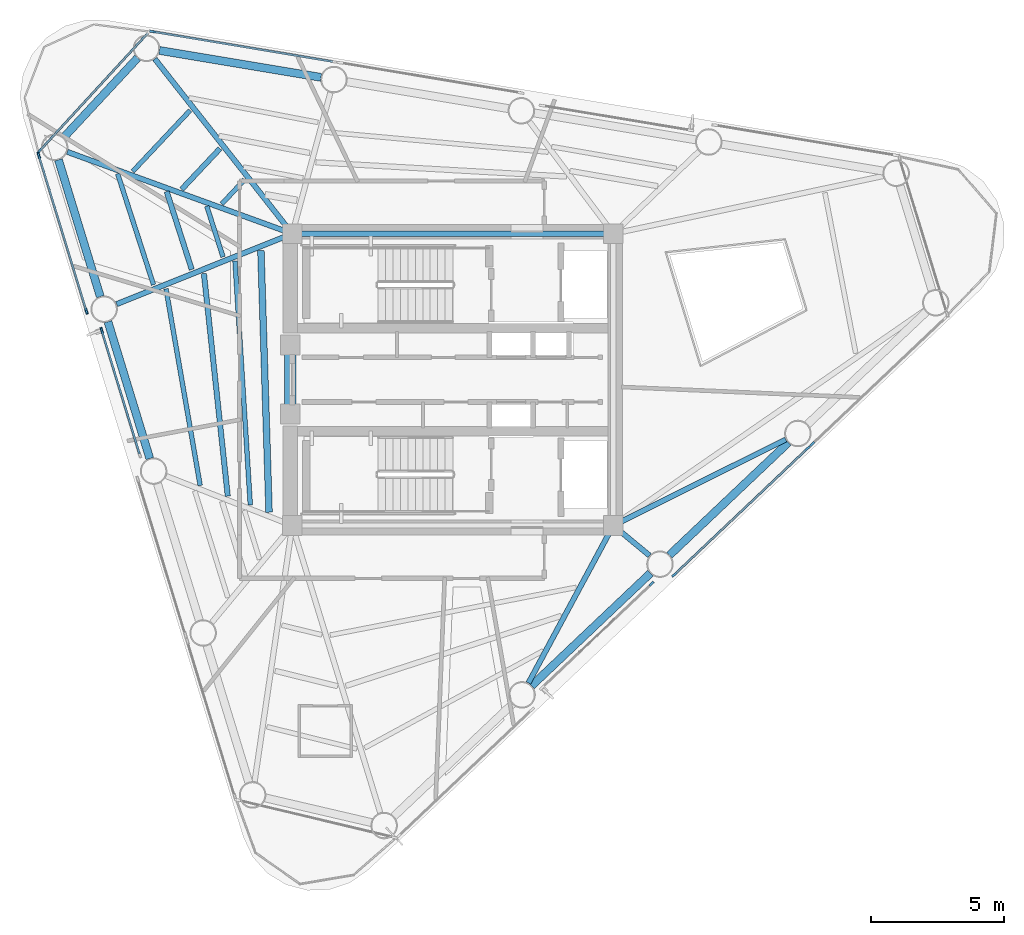
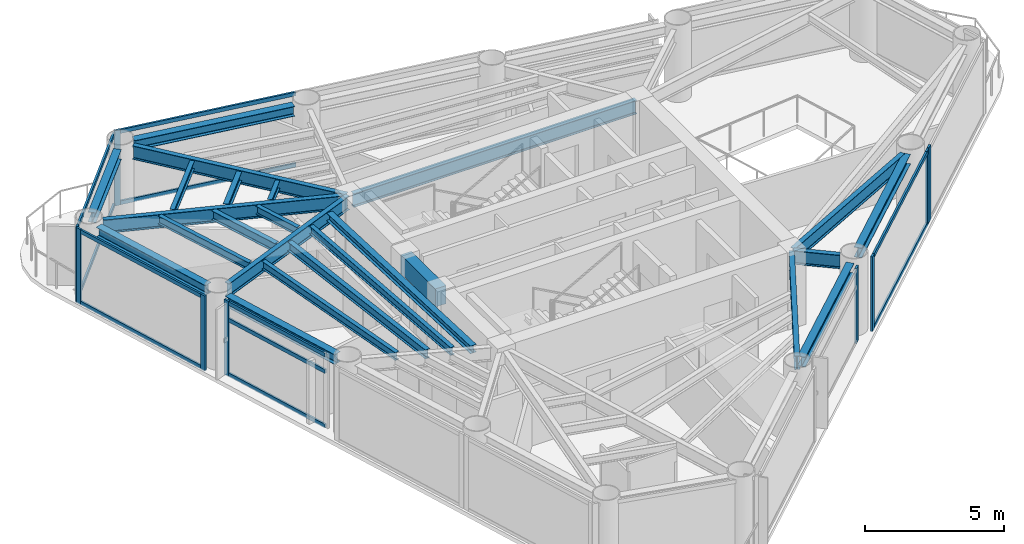
# One storey, part 2 of 9: 24 beams, 20 members, 7 elements without a shape of their own.
"""IFC4 building model written with IfcOpenShell, lengths in metres."""

from ifc_helpers import new_model, si_unit, direction, frame, origin, origin_2d, place, context, subcontext, project, spatial, rectangle, i_section, extrude, source, transform, mapped, material, layer, layer_set, material_profile, profile_set, type_object, element, aggregate, save


model = new_model("IFC4")

# Units and contexts
model_context = context("Model", 3, precision=1e-05, world=origin(), true_north=direction((0.0, 1.0)))
body_context = subcontext(model_context, "Body", "Model", "MODEL_VIEW")
ifc_project = project(units=[si_unit("LENGTHUNIT", "METRE"), si_unit("AREAUNIT", "SQUARE_METRE"), si_unit("VOLUMEUNIT", "CUBIC_METRE"), si_unit("PLANEANGLEUNIT", "RADIAN"), si_unit("MASSUNIT", "GRAM", prefix="KILO")], contexts=[model_context])

# Site, building, storey
site_placement = place(None, origin())
site = spatial("IfcSite", under=ifc_project, at=site_placement, CompositionType="ELEMENT")
building_placement = place(site_placement, origin())
building = spatial("IfcBuilding", under=site, at=building_placement, Name="Yunling Apex Tower", CompositionType="ELEMENT")
storey_placement = place(building_placement, frame((0.0, 0.0, 245.64990234375)))
storey = spatial("IfcBuildingStorey", under=building, at=storey_placement, Name="L60", CompositionType="ELEMENT", Elevation=245.64990234375)

# Beams
ifc_material_1 = material(Name="Concrete C40", Category="concrete")
ifc_material_profile_1 = material_profile(ifc_material_1, rectangle(XDim=0.449951171875, YDim=0.800048828125, at=origin_2d()))
ifc_profile_set_1 = profile_set([ifc_material_profile_1], Name="Concrete C40")
beam_type_1 = type_object("IfcBeamType", Name="BC-CPL-3", PredefinedType="BEAM", material=ifc_profile_set_1)
shared_shape_1 = source(origin(), body_context, "Body", "SweptSolid", [
    extrude(rectangle(XDim=0.449951171875, YDim=0.800048828125, at=origin_2d()), origin(), (0.0, 0.0, 1.0), 2.5),
])
beam_1_placement = place(storey_placement, frame((-6.125, -1.25, 2.820068359375), z_axis=(0.0, 1.0, 0.0), x_axis=(-1.0, 0.0, 0.0)))
element("IfcBeam", 1, at=beam_1_placement, inside=storey, type_object=beam_type_1, Name="L60 Core West Portal Coupling Beam", PredefinedType="BEAM", context=body_context, shape_type="MappedRepresentation", body=[
    mapped(shared_shape_1, transform((0.0, 0.0, 0.0), scale=1.0)),
])
ifc_material_2 = material(Name="Steel Q355B", Category="steel")
ifc_material_profile_2 = material_profile(ifc_material_2, i_section(OverallWidth=0.199951171875, OverallDepth=0.60009765625, WebThickness=0.010986328125, FlangeThickness=0.01708984375, FilletRadius=0.02197265625, at=origin_2d()))
ifc_profile_set_2 = profile_set([ifc_material_profile_2], Name="Steel Q355B")
beam_type_2 = type_object("IfcBeamType", Name="BG-PRI-5", PredefinedType="USERDEFINED", material=ifc_profile_set_2)
shared_shape_2 = source(origin(), body_context, "Body", "SweptSolid", [
    extrude(i_section(OverallWidth=0.199951171875, OverallDepth=0.60009765625, WebThickness=0.010986328125, FlangeThickness=0.01708984375, FilletRadius=0.02197265625, at=origin_2d()), origin(), (0.0, 0.0, 1.0), 11.7998046875),
])
beam_2_placement = place(storey_placement, frame((5.89990234375, 5.5, 2.920166015625), z_axis=(-1.0, 0.0, 0.0), x_axis=(0.0, -1.0, 0.0)))
element("IfcBeam", 2, at=beam_2_placement, inside=storey, type_object=beam_type_2, Name="L60 Core Ring Tie Beam 3", ObjectType="GIRDER", PredefinedType="USERDEFINED", context=body_context, shape_type="MappedRepresentation", body=[
    mapped(shared_shape_2, transform((0.0, 0.0, 0.0), scale=1.0)),
])
ifc_material_profile_3 = material_profile(ifc_material_2, i_section(OverallWidth=0.300048828125, OverallDepth=0.43994140625, WebThickness=0.010986328125, FlangeThickness=0.01806640625, FilletRadius=0.02197265625, at=origin_2d()))
ifc_profile_set_3 = profile_set([ifc_material_profile_3], Name="Steel Q355B")
beam_type_3 = type_object("IfcBeamType", Name="BP-SPN-3", PredefinedType="SPANDREL", material=ifc_profile_set_3)
shared_shape_3 = source(origin(), body_context, "Body", "SweptSolid", [
    extrude(i_section(OverallWidth=0.300048828125, OverallDepth=0.43994140625, WebThickness=0.010986328125, FlangeThickness=0.01806640625, FilletRadius=0.02197265625, at=origin_2d()), origin(), (0.0, 0.0, 1.0), 6.17333984375),
])
for number, where, z_axis, x_axis, name in (
    (3, (8.16748046875, -6.6162109375, 3.0), (0.725853952128, 0.687848849807, 0.0), (-0.687848849807, 0.725853952128, 0.0), "L60 Perimeter Spandrel Beam 3"),
    (4, (-4.967041015625, 11.391845703125, 3.0), (-0.986400336233, 0.164360508275, 0.0), (-0.164360508275, -0.986400336233, 0.0), "L60 Perimeter Spandrel Beam 9"),
):
    element("IfcBeam", number, at=place(storey_placement, frame(where, z_axis=z_axis, x_axis=x_axis)), inside=storey, type_object=beam_type_3, Name=name, PredefinedType="SPANDREL", context=body_context, shape_type="MappedRepresentation", body=[
        mapped(shared_shape_3, transform((0.0, 0.0, 0.0), scale=1.0)),
    ])
shared_shape_4 = source(origin(), body_context, "Body", "SweptSolid", [
    extrude(i_section(OverallWidth=0.300048828125, OverallDepth=0.43994140625, WebThickness=0.010986328125, FlangeThickness=0.01806640625, FilletRadius=0.02197265625, at=origin_2d()), origin(), (0.0, 0.0, 1.0), 6.173095703125),
])
beam_3_placement = place(storey_placement, frame((2.969482421875, -11.5419921875, 3.0), z_axis=(0.725873697531, 0.687828012829, 0.0), x_axis=(-0.687828012829, 0.725873697531, 0.0)))
element("IfcBeam", 5, at=beam_3_placement, inside=storey, type_object=beam_type_3, Name="L60 Perimeter Spandrel Beam 2", PredefinedType="SPANDREL", context=body_context, shape_type="MappedRepresentation", body=[
    mapped(shared_shape_4, transform((0.0, 0.0, 0.0), scale=1.0)),
])
shared_shape_5 = source(origin(), body_context, "Body", "SweptSolid", [
    extrude(i_section(OverallWidth=0.300048828125, OverallDepth=0.43994140625, WebThickness=0.010986328125, FlangeThickness=0.01806640625, FilletRadius=0.02197265625, at=origin_2d()), origin(), (0.0, 0.0, 1.0), 4.1015625),
])
beam_4_placement = place(storey_placement, frame((-11.8798828125, 12.125732421875, 3.0), z_axis=(-0.680585789197, -0.732668399443, 0.0), x_axis=(0.732668399443, -0.680585789197, 0.0)))
element("IfcBeam", 6, at=beam_4_placement, inside=storey, type_object=beam_type_3, Name="L60 Perimeter Spandrel Beam 10", PredefinedType="SPANDREL", context=body_context, shape_type="MappedRepresentation", body=[
    mapped(shared_shape_5, transform((0.0, 0.0, 0.0), scale=1.0)),
])
shared_shape_6 = source(origin(), body_context, "Body", "SweptSolid", [
    extrude(i_section(OverallWidth=0.300048828125, OverallDepth=0.43994140625, WebThickness=0.010986328125, FlangeThickness=0.01806640625, FilletRadius=0.02197265625, at=origin_2d()), origin(), (0.0, 0.0, 1.0), 5.39404296875),
])
for number, where, z_axis, x_axis, name in (
    (7, (-14.863037109375, 8.286376953125, 3.0), (0.292393318538, -0.956298147689, 0.0), (0.956298147689, 0.292393318538, 0.0), "L60 Perimeter Spandrel Beam 11"),
    (8, (-12.997314453125, 2.183349609375, 3.0), (0.292380663083, -0.956302017072, 0.0), (0.956302017072, 0.292380663083, 0.0), "L60 Perimeter Spandrel Beam 12"),
):
    element("IfcBeam", number, at=place(storey_placement, frame(where, z_axis=z_axis, x_axis=x_axis)), inside=storey, type_object=beam_type_3, Name=name, PredefinedType="SPANDREL", context=body_context, shape_type="MappedRepresentation", body=[
        mapped(shared_shape_6, transform((0.0, 0.0, 0.0), scale=1.0)),
    ])
shared_shape_7 = source(origin(), body_context, "Body", "SweptSolid", [
    extrude(i_section(OverallWidth=0.199951171875, OverallDepth=0.60009765625, WebThickness=0.010986328125, FlangeThickness=0.01708984375, FilletRadius=0.02197265625, at=origin_2d()), origin(), (0.0, 0.0, 1.0), 6.661865234375),
])
beam_5_placement = place(storey_placement, frame((2.851806640625, -11.434814453125, 2.920166015625), z_axis=(0.474372979845, 0.88032396082, 0.0), x_axis=(-0.88032396082, 0.474372979845, 0.0)))
element("IfcBeam", 9, at=beam_5_placement, inside=storey, type_object=beam_type_2, Name="L60 Radial Primary Girder R02", ObjectType="GIRDER", PredefinedType="USERDEFINED", context=body_context, shape_type="MappedRepresentation", body=[
    mapped(shared_shape_7, transform((0.0, 0.0, 0.0), scale=1.0)),
])
shared_shape_8 = source(origin(), body_context, "Body", "SweptSolid", [
    extrude(i_section(OverallWidth=0.199951171875, OverallDepth=0.60009765625, WebThickness=0.010986328125, FlangeThickness=0.01708984375, FilletRadius=0.02197265625, at=origin_2d()), origin(), (0.0, 0.0, 1.0), 1.695556640625),
])
beam_6_placement = place(storey_placement, frame((7.417724609375, -6.632080078125, 2.920166015625), z_axis=(-0.770365054174, 0.637603076614, 0.0), x_axis=(-0.637603076614, -0.770365054174, 0.0)))
element("IfcBeam", 10, at=beam_6_placement, inside=storey, type_object=beam_type_2, Name="L60 Radial Primary Girder R03", ObjectType="GIRDER", PredefinedType="USERDEFINED", context=body_context, shape_type="MappedRepresentation", body=[
    mapped(shared_shape_8, transform((0.0, 0.0, 0.0), scale=1.0)),
])
shared_shape_9 = source(origin(), body_context, "Body", "SweptSolid", [
    extrude(i_section(OverallWidth=0.199951171875, OverallDepth=0.60009765625, WebThickness=0.010986328125, FlangeThickness=0.01708984375, FilletRadius=0.02197265625, at=origin_2d()), origin(), (0.0, 0.0, 1.0), 7.1865234375),
])
beam_7_placement = place(storey_placement, frame((12.552490234375, -2.256591796875, 2.920166015625), z_axis=(-0.894854827722, -0.446357297803, 0.0), x_axis=(0.446357297803, -0.894854827722, 0.0)))
element("IfcBeam", 11, at=beam_7_placement, inside=storey, type_object=beam_type_2, Name="L60 Radial Primary Girder R04", ObjectType="GIRDER", PredefinedType="USERDEFINED", context=body_context, shape_type="MappedRepresentation", body=[
    mapped(shared_shape_9, transform((0.0, 0.0, 0.0), scale=1.0)),
])
shared_shape_10 = source(origin(), body_context, "Body", "SweptSolid", [
    extrude(i_section(OverallWidth=0.199951171875, OverallDepth=0.60009765625, WebThickness=0.010986328125, FlangeThickness=0.01708984375, FilletRadius=0.02197265625, at=origin_2d()), origin(), (0.0, 0.0, 1.0), 8.300537109375),
])
beam_8_placement = place(storey_placement, frame((-11.229736328125, 12.088134765625, 2.920166015625), z_axis=(0.618080016926, -0.786115190463, 0.0), x_axis=(0.786115190463, 0.618080016926, 0.0)))
element("IfcBeam", 12, at=beam_8_placement, inside=storey, type_object=beam_type_2, Name="L60 Radial Primary Girder R10", ObjectType="GIRDER", PredefinedType="USERDEFINED", context=body_context, shape_type="MappedRepresentation", body=[
    mapped(shared_shape_10, transform((0.0, 0.0, 0.0), scale=1.0)),
])
shared_shape_11 = source(origin(), body_context, "Body", "SweptSolid", [
    extrude(i_section(OverallWidth=0.199951171875, OverallDepth=0.60009765625, WebThickness=0.010986328125, FlangeThickness=0.01708984375, FilletRadius=0.02197265625, at=origin_2d()), origin(), (0.0, 0.0, 1.0), 8.943603515625),
])
beam_9_placement = place(storey_placement, frame((-14.530029296875, 8.5849609375, 2.920166015625), z_axis=(0.939745593755, -0.341874566205, 0.0), x_axis=(0.341874566205, 0.939745593755, 0.0)))
element("IfcBeam", 13, at=beam_9_placement, inside=storey, type_object=beam_type_2, Name="L60 Radial Primary Girder R11", ObjectType="GIRDER", PredefinedType="USERDEFINED", context=body_context, shape_type="MappedRepresentation", body=[
    mapped(shared_shape_11, transform((0.0, 0.0, 0.0), scale=1.0)),
])
shared_shape_12 = source(origin(), body_context, "Body", "SweptSolid", [
    extrude(i_section(OverallWidth=0.199951171875, OverallDepth=0.60009765625, WebThickness=0.010986328125, FlangeThickness=0.01708984375, FilletRadius=0.02197265625, at=origin_2d()), origin(), (0.0, 0.0, 1.0), 7.052734375),
])
beam_10_placement = place(storey_placement, frame((-12.670166015625, 2.8447265625, 2.920166015625), z_axis=(0.928127733356, 0.372261884399, 0.0), x_axis=(-0.372261884399, 0.928127733356, 0.0)))
element("IfcBeam", 14, at=beam_10_placement, inside=storey, type_object=beam_type_2, Name="L60 Radial Primary Girder R12", ObjectType="GIRDER", PredefinedType="USERDEFINED", context=body_context, shape_type="MappedRepresentation", body=[
    mapped(shared_shape_12, transform((0.0, 0.0, 0.0), scale=1.0)),
])
ifc_material_profile_4 = material_profile(ifc_material_2, i_section(OverallWidth=0.199951171875, OverallDepth=0.39990234375, WebThickness=0.008056640625, FlangeThickness=0.012939453125, FilletRadius=0.01611328125, at=origin_2d()))
ifc_profile_set_4 = profile_set([ifc_material_profile_4], Name="Steel Q355B")
beam_type_4 = type_object("IfcBeamType", Name="BS-SEC-4", PredefinedType="BEAM", material=ifc_profile_set_4)
shared_shape_13 = source(origin(), body_context, "Body", "SweptSolid", [
    extrude(i_section(OverallWidth=0.199951171875, OverallDepth=0.39990234375, WebThickness=0.008056640625, FlangeThickness=0.012939453125, FilletRadius=0.01611328125, at=origin_2d()), origin(), (0.0, 0.0, 1.0), 2.108154296875),
])
beam_11_placement = place(storey_placement, frame((-8.774169921875, 8.708984375, 3.02001953125), z_axis=(-0.684880497063, -0.728655408779, 0.0), x_axis=(0.728655408779, -0.684880497063, 0.0)))
element("IfcBeam", 15, at=beam_11_placement, inside=storey, type_object=beam_type_4, Name="L60 Composite Floor Beam BS-10", PredefinedType="BEAM", context=body_context, shape_type="MappedRepresentation", body=[
    mapped(shared_shape_13, transform((0.0, 0.0, 0.0), scale=1.0)),
])
ifc_material_profile_5 = material_profile(ifc_material_2, i_section(OverallWidth=0.175048828125, OverallDepth=0.35009765625, WebThickness=0.007080078125, FlangeThickness=0.010986328125, FilletRadius=0.013916015625, at=origin_2d()))
ifc_profile_set_5 = profile_set([ifc_material_profile_5], Name="Steel Q355B")
beam_type_5 = type_object("IfcBeamType", Name="BJ-JST-1", PredefinedType="JOIST", material=ifc_profile_set_5)
shared_shape_14 = source(origin(), body_context, "Body", "SweptSolid", [
    extrude(i_section(OverallWidth=0.175048828125, OverallDepth=0.35009765625, WebThickness=0.007080078125, FlangeThickness=0.010986328125, FilletRadius=0.013916015625, at=origin_2d()), origin(), (0.0, 0.0, 1.0), 3.157470703125),
])
beam_12_placement = place(storey_placement, frame((-9.903076171875, 10.14453125, 3.045166015625), z_axis=(-0.685403289292, -0.728163670494, 0.0), x_axis=(0.728163670494, -0.685403289292, 0.0)))
element("IfcBeam", 16, at=beam_12_placement, inside=storey, type_object=beam_type_5, Name="L60 Composite Floor Joist BJ1-10", PredefinedType="JOIST", context=body_context, shape_type="MappedRepresentation", body=[
    mapped(shared_shape_14, transform((0.0, 0.0, 0.0), scale=1.0)),
])
shared_shape_15 = source(origin(), body_context, "Body", "SweptSolid", [
    extrude(i_section(OverallWidth=0.175048828125, OverallDepth=0.35009765625, WebThickness=0.007080078125, FlangeThickness=0.010986328125, FilletRadius=0.013916015625, at=origin_2d()), origin(), (0.0, 0.0, 1.0), 1.249755859375),
])
beam_13_placement = place(storey_placement, frame((-7.8505859375, 7.5341796875, 3.045166015625), z_axis=(-0.683980120085, -0.729500647929, 0.0), x_axis=(0.729500647929, -0.683980120085, 0.0)))
element("IfcBeam", 17, at=beam_13_placement, inside=storey, type_object=beam_type_5, Name="L60 Composite Floor Joist BJ3-10", PredefinedType="JOIST", context=body_context, shape_type="MappedRepresentation", body=[
    mapped(shared_shape_15, transform((0.0, 0.0, 0.0), scale=1.0)),
])
shared_shape_16 = source(origin(), body_context, "Body", "SweptSolid", [
    extrude(i_section(OverallWidth=0.199951171875, OverallDepth=0.39990234375, WebThickness=0.008056640625, FlangeThickness=0.012939453125, FilletRadius=0.01611328125, at=origin_2d()), origin(), (0.0, 0.0, 1.0), 3.083251953125),
])
beam_14_placement = place(storey_placement, frame((-10.782958984375, 7.08740234375, 3.02001953125), z_axis=(0.306209104811, -0.951964276709, 0.0), x_axis=(0.951964276709, 0.306209104811, 0.0)))
element("IfcBeam", 18, at=beam_14_placement, inside=storey, type_object=beam_type_4, Name="L60 Composite Floor Beam BS-11", PredefinedType="BEAM", context=body_context, shape_type="MappedRepresentation", body=[
    mapped(shared_shape_16, transform((0.0, 0.0, 0.0), scale=1.0)),
])
shared_shape_17 = source(origin(), body_context, "Body", "SweptSolid", [
    extrude(i_section(OverallWidth=0.175048828125, OverallDepth=0.35009765625, WebThickness=0.007080078125, FlangeThickness=0.010986328125, FilletRadius=0.013916015625, at=origin_2d()), origin(), (0.0, 0.0, 1.0), 4.3984375),
])
beam_15_placement = place(storey_placement, frame((-12.6318359375, 7.760009765625, 3.045166015625), z_axis=(0.307505485962, -0.951546307913, 0.0), x_axis=(0.951546307913, 0.307505485962, 0.0)))
element("IfcBeam", 19, at=beam_15_placement, inside=storey, type_object=beam_type_5, Name="L60 Composite Floor Joist BJ1-11", PredefinedType="JOIST", context=body_context, shape_type="MappedRepresentation", body=[
    mapped(shared_shape_17, transform((0.0, 0.0, 0.0), scale=1.0)),
])
shared_shape_18 = source(origin(), body_context, "Body", "SweptSolid", [
    extrude(i_section(OverallWidth=0.175048828125, OverallDepth=0.35009765625, WebThickness=0.007080078125, FlangeThickness=0.010986328125, FilletRadius=0.013916015625, at=origin_2d()), origin(), (0.0, 0.0, 1.0), 2.0068359375),
])
beam_16_placement = place(storey_placement, frame((-9.2705078125, 6.536865234375, 3.045166015625), z_axis=(0.304011984445, -0.95266820736, 0.0), x_axis=(0.95266820736, 0.304011984445, 0.0)))
element("IfcBeam", 20, at=beam_16_placement, inside=storey, type_object=beam_type_5, Name="L60 Composite Floor Joist BJ3-11", PredefinedType="JOIST", context=body_context, shape_type="MappedRepresentation", body=[
    mapped(shared_shape_18, transform((0.0, 0.0, 0.0), scale=1.0)),
])
shared_shape_19 = source(origin(), body_context, "Body", "SweptSolid", [
    extrude(i_section(OverallWidth=0.199951171875, OverallDepth=0.39990234375, WebThickness=0.008056640625, FlangeThickness=0.012939453125, FilletRadius=0.01611328125, at=origin_2d()), origin(), (0.0, 0.0, 1.0), 8.439208984375),
])
beam_17_placement = place(storey_placement, frame((-9.380126953125, 3.998291015625, 3.02001953125), z_axis=(0.106576025189, -0.994304556389, 0.0), x_axis=(0.994304556389, 0.106576025189, 0.0)))
element("IfcBeam", 21, at=beam_17_placement, inside=storey, type_object=beam_type_4, Name="L60 Composite Floor Beam BS-12", PredefinedType="BEAM", context=body_context, shape_type="MappedRepresentation", body=[
    mapped(shared_shape_19, transform((0.0, 0.0, 0.0), scale=1.0)),
])
shared_shape_20 = source(origin(), body_context, "Body", "SweptSolid", [
    extrude(i_section(OverallWidth=0.175048828125, OverallDepth=0.35009765625, WebThickness=0.007080078125, FlangeThickness=0.010986328125, FilletRadius=0.013916015625, at=origin_2d()), origin(), (0.0, 0.0, 1.0), 7.523681640625),
])
beam_18_placement = place(storey_placement, frame((-10.809814453125, 3.42236328125, 3.045166015625), z_axis=(0.171367194042, -0.985207229372, 0.0), x_axis=(0.985207229372, 0.171367194042, 0.0)))
element("IfcBeam", 22, at=beam_18_placement, inside=storey, type_object=beam_type_5, Name="L60 Composite Floor Joist BJ1-12", PredefinedType="JOIST", context=body_context, shape_type="MappedRepresentation", body=[
    mapped(shared_shape_20, transform((0.0, 0.0, 0.0), scale=1.0)),
])
shared_shape_21 = source(origin(), body_context, "Body", "SweptSolid", [
    extrude(i_section(OverallWidth=0.175048828125, OverallDepth=0.35009765625, WebThickness=0.007080078125, FlangeThickness=0.010986328125, FilletRadius=0.013916015625, at=origin_2d()), origin(), (0.0, 0.0, 1.0), 9.211669921875),
])
beam_19_placement = place(storey_placement, frame((-8.208984375, 4.470458984375, 3.045166015625), z_axis=(0.062680234959, -0.998033660828, 0.0), x_axis=(0.998033660828, 0.062680234959, 0.0)))
element("IfcBeam", 23, at=beam_19_placement, inside=storey, type_object=beam_type_5, Name="L60 Composite Floor Joist BJ3-12", PredefinedType="JOIST", context=body_context, shape_type="MappedRepresentation", body=[
    mapped(shared_shape_21, transform((0.0, 0.0, 0.0), scale=1.0)),
])
ifc_material_profile_6 = material_profile(ifc_material_2, i_section(OverallWidth=0.25, OverallDepth=0.340087890625, WebThickness=0.009033203125, FlangeThickness=0.013916015625, FilletRadius=0.01806640625, at=origin_2d()))
ifc_profile_set_6 = profile_set([ifc_material_profile_6], Name="Steel Q355B")
beam_type_6 = type_object("IfcBeamType", Name="BJ-JST-2", PredefinedType="JOIST", material=ifc_profile_set_6)
shared_shape_22 = source(origin(), body_context, "Body", "SweptSolid", [
    extrude(i_section(OverallWidth=0.25, OverallDepth=0.340087890625, WebThickness=0.009033203125, FlangeThickness=0.013916015625, FilletRadius=0.01806640625, at=origin_2d()), origin(), (0.0, 0.0, 1.0), 9.867431640625),
])
beam_20_placement = place(storey_placement, frame((-7.232177734375, 4.864013671875, 3.050048828125), z_axis=(0.03115055603, -0.999514703673, 0.0), x_axis=(0.999514703673, 0.03115055603, 0.0)))
element("IfcBeam", 24, at=beam_20_placement, inside=storey, type_object=beam_type_6, Name="L60 Composite Floor Joist BJ2-12", PredefinedType="JOIST", context=body_context, shape_type="MappedRepresentation", body=[
    mapped(shared_shape_22, transform((0.0, 0.0, 0.0), scale=1.0)),
])

# Curtain wall, member
ifc_material_3 = material(Name="Bronze anodised aluminium", Category="aluminium")
ifc_layer = layer(ifc_material_3, 0.219970703125)
ifc_layer_set = layer_set([ifc_layer], Name="Bronze anodised aluminium")
curtain_wall_type = type_object("IfcCurtainWallType", Name="CW-SYS-4", PredefinedType="NOTDEFINED", material=ifc_layer_set)
curtain_wall_1_placement = place(storey_placement, origin())
curtain_wall_1 = element("IfcCurtainWall", 25, at=curtain_wall_1_placement, inside=storey, type_object=curtain_wall_type, Name="CW-L60-F1-B2", PredefinedType="NOTDEFINED")
ifc_material_profile_7 = material_profile(ifc_material_3, rectangle(XDim=0.080078125, YDim=0.219970703125, at=origin_2d()))
ifc_profile_set_7 = profile_set([ifc_material_profile_7], Name="Bronze anodised aluminium")
member_type_1 = type_object("IfcMemberType", Name="CW-MUL-4", PredefinedType="MULLION", material=ifc_profile_set_7)
shared_shape_23 = source(origin(), body_context, "Body", "SweptSolid", [
    extrude(rectangle(XDim=0.080078125, YDim=0.219970703125, at=origin_2d()), origin(), (0.0, 0.0, 1.0), 3.31982421875),
])
member_1_placement = place(storey_placement, frame((7.491943359375, -7.697265625, -0.0498046875), z_axis=(0.0, 0.0, 1.0), x_axis=(-0.687854406681, 0.725848686167, 0.0)))
member_1 = element("IfcMember", 26, at=member_1_placement, type_object=member_type_1, Name="CW-SYS-4 mullion 2", PredefinedType="MULLION", context=body_context, shape_type="MappedRepresentation", body=[
    mapped(shared_shape_23, transform((0.0, 0.0, 0.0), scale=1.0)),
])
aggregate(curtain_wall_1, [member_1])

# Curtain wall, members
curtain_wall_2_placement = place(storey_placement, origin())
curtain_wall_2 = element("IfcCurtainWall", 27, at=curtain_wall_2_placement, inside=storey, type_object=curtain_wall_type, Name="CW-L60-F1-B3", PredefinedType="NOTDEFINED")
member_2_placement = place(storey_placement, frame((8.35009765625, -7.3525390625, -0.0498046875), z_axis=(0.0, 0.0, 1.0), x_axis=(-0.687848040467, 0.72585471909, 0.0)))
member_2 = element("IfcMember", 28, at=member_2_placement, type_object=member_type_1, Name="CW-SYS-4 mullion 1", PredefinedType="MULLION", context=body_context, shape_type="MappedRepresentation", body=[
    mapped(shared_shape_23, transform((0.0, 0.0, 0.0), scale=1.0)),
])
member_3_placement = place(storey_placement, frame((13.3740234375, -2.591552734375, -0.0498046875), z_axis=(0.0, 0.0, 1.0), x_axis=(-0.687848040467, 0.72585471909, 0.0)))
member_3 = element("IfcMember", 29, at=member_3_placement, type_object=member_type_1, Name="CW-SYS-4 mullion 2", PredefinedType="MULLION", context=body_context, shape_type="MappedRepresentation", body=[
    mapped(shared_shape_23, transform((0.0, 0.0, 0.0), scale=1.0)),
])

# Curtain wall, member
curtain_wall_3_placement = place(storey_placement, origin())
curtain_wall_3 = element("IfcCurtainWall", 30, at=curtain_wall_3_placement, inside=storey, type_object=curtain_wall_type, Name="CW-L60-F1-B4", PredefinedType="NOTDEFINED")
member_4_placement = place(storey_placement, frame((13.54833984375, -2.426513671875, -0.0498046875), z_axis=(0.0, 0.0, 1.0), x_axis=(-0.687848040467, 0.72585471909, 0.0)))
member_4 = element("IfcMember", 31, at=member_4_placement, type_object=member_type_1, Name="CW-SYS-4 mullion 1", PredefinedType="MULLION", context=body_context, shape_type="MappedRepresentation", body=[
    mapped(shared_shape_23, transform((0.0, 0.0, 0.0), scale=1.0)),
])
aggregate(curtain_wall_3, [member_4])

curtain_wall_4_placement = place(storey_placement, origin())
curtain_wall_4 = element("IfcCurtainWall", 32, at=curtain_wall_4_placement, inside=storey, type_object=curtain_wall_type, Name="CW-L60-F2-B4", PredefinedType="NOTDEFINED")
member_5_placement = place(storey_placement, frame((-11.31689453125, 13.118896484375, -0.0498046875), z_axis=(0.0, 0.0, 1.0), x_axis=(-0.164352664392, -0.9864016432, 0.0)))
member_5 = element("IfcMember", 33, at=member_5_placement, type_object=member_type_1, Name="CW-SYS-4 mullion 2", PredefinedType="MULLION", context=body_context, shape_type="MappedRepresentation", body=[
    mapped(shared_shape_23, transform((0.0, 0.0, 0.0), scale=1.0)),
])

curtain_wall_5_placement = place(storey_placement, origin())
curtain_wall_5 = element("IfcCurtainWall", 34, at=curtain_wall_5_placement, inside=storey, type_object=curtain_wall_type, Name="CW-L60-CRN2", PredefinedType="NOTDEFINED")
member_6_placement = place(storey_placement, frame((-15.592529296875, 8.60107421875, -0.0498046875), z_axis=(0.0, 0.0, 1.0), x_axis=(0.736133922549, -0.676835909266, 0.0)))
member_6 = element("IfcMember", 35, at=member_6_placement, type_object=member_type_1, Name="CW-SYS-4 mullion 2", PredefinedType="MULLION", context=body_context, shape_type="MappedRepresentation", body=[
    mapped(shared_shape_23, transform((0.0, 0.0, 0.0), scale=1.0)),
])

# Curtain wall, members
curtain_wall_6_placement = place(storey_placement, origin())
curtain_wall_6 = element("IfcCurtainWall", 36, at=curtain_wall_6_placement, inside=storey, type_object=curtain_wall_type, Name="CW-L60-F3-B1", PredefinedType="NOTDEFINED")
member_7_placement = place(storey_placement, frame((-15.603515625, 8.450927734375, -0.0498046875), z_axis=(0.0, 0.0, 1.0), x_axis=(0.956304646078, 0.29237206414, 0.0)))
member_7 = element("IfcMember", 37, at=member_7_placement, type_object=member_type_1, Name="CW-SYS-4 mullion 1", PredefinedType="MULLION", context=body_context, shape_type="MappedRepresentation", body=[
    mapped(shared_shape_23, transform((0.0, 0.0, 0.0), scale=1.0)),
])
member_8_placement = place(storey_placement, frame((-13.807861328125, 2.577392578125, -0.0498046875), z_axis=(0.0, 0.0, 1.0), x_axis=(0.956304646078, 0.29237206414, 0.0)))
member_8 = element("IfcMember", 38, at=member_8_placement, type_object=member_type_1, Name="CW-SYS-4 mullion 2", PredefinedType="MULLION", context=body_context, shape_type="MappedRepresentation", body=[
    mapped(shared_shape_23, transform((0.0, 0.0, 0.0), scale=1.0)),
])

# Curtain wall, member
curtain_wall_7_placement = place(storey_placement, origin())
curtain_wall_7 = element("IfcCurtainWall", 39, at=curtain_wall_7_placement, inside=storey, type_object=curtain_wall_type, Name="CW-L60-F3-B2", PredefinedType="NOTDEFINED")
member_9_placement = place(storey_placement, frame((-13.231201171875, 1.8544921875, -0.0498046875), z_axis=(0.0, 0.0, 1.0), x_axis=(0.956304345474, 0.29237304737, 0.0)))
member_9 = element("IfcMember", 40, at=member_9_placement, type_object=member_type_1, Name="CW-SYS-4 mullion 1", PredefinedType="MULLION", context=body_context, shape_type="MappedRepresentation", body=[
    mapped(shared_shape_23, transform((0.0, 0.0, 0.0), scale=1.0)),
])

# Member
ifc_material_profile_8 = material_profile(ifc_material_3, rectangle(XDim=0.080078125, YDim=0.169921875, at=origin_2d()))
ifc_profile_set_8 = profile_set([ifc_material_profile_8], Name="Bronze anodised aluminium")
member_type_2 = type_object("IfcMemberType", Name="CW-TRN-4", PredefinedType="USERDEFINED", material=ifc_profile_set_8)
shared_shape_24 = source(origin(), body_context, "Body", "SweptSolid", [
    extrude(rectangle(XDim=0.080078125, YDim=0.169921875, at=origin_2d()), origin(), (0.0, 0.0, 1.0), 6.849365234375),
])
member_10_placement = place(storey_placement, frame((8.376220703125, -7.32763671875, 0.0400390625), z_axis=(0.725867443411, 0.687834612822, 0.0), x_axis=(-0.687834612822, 0.725867443411, 0.0)))
member_10 = element("IfcMember", 41, at=member_10_placement, type_object=member_type_2, Name="CW-SYS-4 transom 1.1", ObjectType="TRANSOM", PredefinedType="USERDEFINED", context=body_context, shape_type="MappedRepresentation", body=[
    mapped(shared_shape_24, transform((0.0, 0.0, 0.0), scale=1.0)),
])

member_11_placement = place(storey_placement, frame((8.376220703125, -7.32763671875, 3.18017578125), z_axis=(0.725867443411, 0.687834612822, 0.0), x_axis=(-0.687834612822, 0.725867443411, 0.0)))
member_11 = element("IfcMember", 42, at=member_11_placement, type_object=member_type_2, Name="CW-SYS-4 transom 1.2", ObjectType="TRANSOM", PredefinedType="USERDEFINED", context=body_context, shape_type="MappedRepresentation", body=[
    mapped(shared_shape_24, transform((0.0, 0.0, 0.0), scale=1.0)),
])

aggregate(curtain_wall_2, [member_2, member_3, member_10, member_11])

shared_shape_25 = source(origin(), body_context, "Body", "SweptSolid", [
    extrude(rectangle(XDim=0.080078125, YDim=0.169921875, at=origin_2d()), origin(), (0.0, 0.0, 1.0), 6.849609375),
])
member_12_placement = place(storey_placement, frame((-4.525146484375, 11.9873046875, 0.0400390625), z_axis=(-0.986401629478, 0.164352746749, 0.0), x_axis=(-0.164352746749, -0.986401629478, 0.0)))
member_12 = element("IfcMember", 43, at=member_12_placement, type_object=member_type_2, Name="CW-SYS-4 transom 1.1", ObjectType="TRANSOM", PredefinedType="USERDEFINED", context=body_context, shape_type="MappedRepresentation", body=[
    mapped(shared_shape_25, transform((0.0, 0.0, 0.0), scale=1.0)),
])

member_13_placement = place(storey_placement, frame((-4.525146484375, 11.9873046875, 3.18017578125), z_axis=(-0.986401629478, 0.164352746749, 0.0), x_axis=(-0.164352746749, -0.986401629478, 0.0)))
member_13 = element("IfcMember", 44, at=member_13_placement, type_object=member_type_2, Name="CW-SYS-4 transom 1.2", ObjectType="TRANSOM", PredefinedType="USERDEFINED", context=body_context, shape_type="MappedRepresentation", body=[
    mapped(shared_shape_25, transform((0.0, 0.0, 0.0), scale=1.0)),
])

aggregate(curtain_wall_4, [member_5, member_12, member_13])

shared_shape_26 = source(origin(), body_context, "Body", "SweptSolid", [
    extrude(rectangle(XDim=0.080078125, YDim=0.169921875, at=origin_2d()), origin(), (0.0, 0.0, 1.0), 6.025390625),
])
member_14_placement = place(storey_placement, frame((-11.489990234375, 13.06298828125, 0.0400390625), z_axis=(-0.676824761053, -0.736144172582, 0.0), x_axis=(0.736144172582, -0.676824761053, 0.0)))
member_14 = element("IfcMember", 45, at=member_14_placement, type_object=member_type_2, Name="CW-SYS-4 transom 1.1", ObjectType="TRANSOM", PredefinedType="USERDEFINED", context=body_context, shape_type="MappedRepresentation", body=[
    mapped(shared_shape_26, transform((0.0, 0.0, 0.0), scale=1.0)),
])

member_15_placement = place(storey_placement, frame((-11.489990234375, 13.06298828125, 3.18017578125), z_axis=(-0.676824761053, -0.736144172582, 0.0), x_axis=(0.736144172582, -0.676824761053, 0.0)))
member_15 = element("IfcMember", 46, at=member_15_placement, type_object=member_type_2, Name="CW-SYS-4 transom 1.2", ObjectType="TRANSOM", PredefinedType="USERDEFINED", context=body_context, shape_type="MappedRepresentation", body=[
    mapped(shared_shape_26, transform((0.0, 0.0, 0.0), scale=1.0)),
])

aggregate(curtain_wall_5, [member_6, member_14, member_15])

shared_shape_27 = source(origin(), body_context, "Body", "SweptSolid", [
    extrude(rectangle(XDim=0.080078125, YDim=0.169921875, at=origin_2d()), origin(), (0.0, 0.0, 1.0), 6.06982421875),
])
member_16_placement = place(storey_placement, frame((-15.593017578125, 8.41650390625, 0.0400390625), z_axis=(0.292369766892, -0.956305348415, 0.0), x_axis=(0.956305348415, 0.292369766892, 0.0)))
member_16 = element("IfcMember", 47, at=member_16_placement, type_object=member_type_2, Name="CW-SYS-4 transom 1.1", ObjectType="TRANSOM", PredefinedType="USERDEFINED", context=body_context, shape_type="MappedRepresentation", body=[
    mapped(shared_shape_27, transform((0.0, 0.0, 0.0), scale=1.0)),
])

member_17_placement = place(storey_placement, frame((-15.593017578125, 8.41650390625, 3.18017578125), z_axis=(0.292369766892, -0.956305348415, 0.0), x_axis=(0.956305348415, 0.292369766892, 0.0)))
member_17 = element("IfcMember", 48, at=member_17_placement, type_object=member_type_2, Name="CW-SYS-4 transom 1.2", ObjectType="TRANSOM", PredefinedType="USERDEFINED", context=body_context, shape_type="MappedRepresentation", body=[
    mapped(shared_shape_27, transform((0.0, 0.0, 0.0), scale=1.0)),
])

aggregate(curtain_wall_6, [member_7, member_8, member_16, member_17])

shared_shape_28 = source(origin(), body_context, "Body", "SweptSolid", [
    extrude(rectangle(XDim=0.080078125, YDim=0.169921875, at=origin_2d()), origin(), (0.0, 0.0, 1.0), 4.829833984375),
])
member_18_placement = place(storey_placement, frame((-13.220703125, 1.820068359375, 0.0400390625), z_axis=(0.292366214736, -0.956306434403, 0.0), x_axis=(0.956306434403, 0.292366214736, 0.0)))
member_18 = element("IfcMember", 49, at=member_18_placement, type_object=member_type_2, Name="CW-SYS-4 transom 1.1", ObjectType="TRANSOM", PredefinedType="USERDEFINED", context=body_context, shape_type="MappedRepresentation", body=[
    mapped(shared_shape_28, transform((0.0, 0.0, 0.0), scale=1.0)),
])

member_19_placement = place(storey_placement, frame((-13.220703125, 1.820068359375, 2.447265625), z_axis=(0.292366214736, -0.956306434403, 0.0), x_axis=(0.956306434403, 0.292366214736, 0.0)))
member_19 = element("IfcMember", 50, at=member_19_placement, type_object=member_type_2, Name="CW-SYS-4 transom 1.2", ObjectType="TRANSOM", PredefinedType="USERDEFINED", context=body_context, shape_type="MappedRepresentation", body=[
    mapped(shared_shape_28, transform((0.0, 0.0, 0.0), scale=1.0)),
])

member_20_placement = place(storey_placement, frame((-13.220703125, 1.820068359375, 3.18017578125), z_axis=(0.292366214736, -0.956306434403, 0.0), x_axis=(0.956306434403, 0.292366214736, 0.0)))
member_20 = element("IfcMember", 51, at=member_20_placement, type_object=member_type_2, Name="CW-SYS-4 transom 1.3", ObjectType="TRANSOM", PredefinedType="USERDEFINED", context=body_context, shape_type="MappedRepresentation", body=[
    mapped(shared_shape_28, transform((0.0, 0.0, 0.0), scale=1.0)),
])

aggregate(curtain_wall_7, [member_9, member_18, member_19, member_20])

save(model, "model.ifc")
